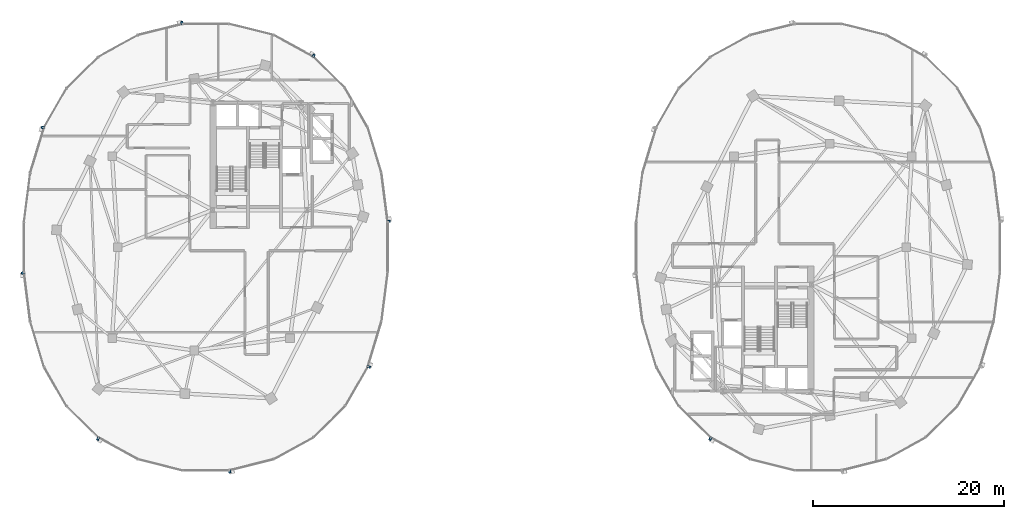
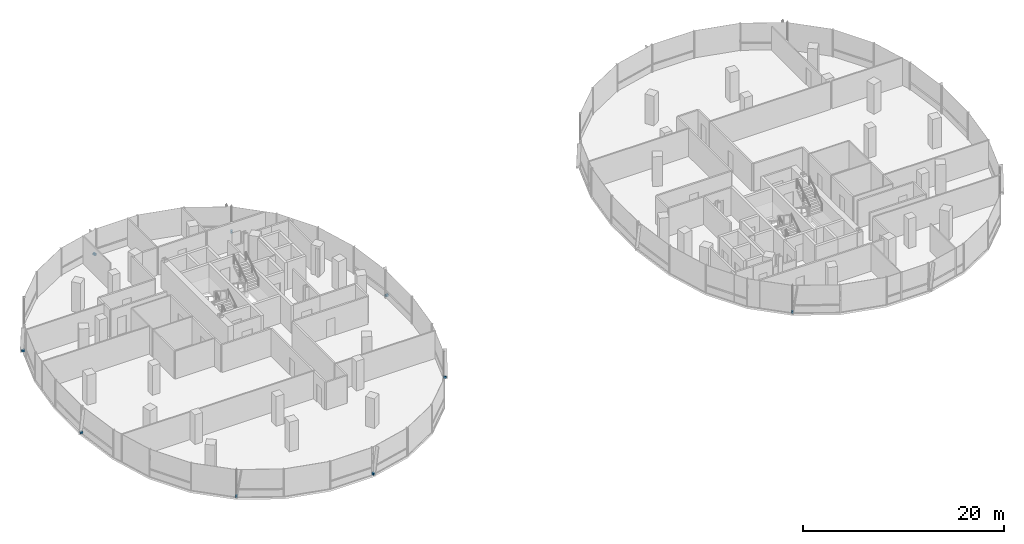
# One storey, part 16 of 22: 9 discrete accessories.
"""IFC4 building model written with IfcOpenShell, lengths in metres."""

from ifc_helpers import new_model, si_unit, direction, frame, origin, origin_2d, place, context, subcontext, project, spatial, rectangle, extrude, material, type_object, element, save


model = new_model("IFC4")

# Units and contexts
model_context = context("Model", 3, precision=1e-05, world=origin(), true_north=direction((0.0, 1.0)))
body_context = subcontext(model_context, "Body", "Model", "MODEL_VIEW")
ifc_project = project(units=[si_unit("LENGTHUNIT", "METRE"), si_unit("AREAUNIT", "SQUARE_METRE"), si_unit("VOLUMEUNIT", "CUBIC_METRE"), si_unit("PLANEANGLEUNIT", "RADIAN"), si_unit("MASSUNIT", "GRAM", prefix="KILO"), si_unit("THERMODYNAMICTEMPERATUREUNIT", "KELVIN"), si_unit("POWERUNIT", "WATT")], contexts=[model_context])

# Site, building, storey
site_placement = place(None, origin())
site = spatial("IfcSite", under=ifc_project, at=site_placement, CompositionType="ELEMENT")
building_placement = place(site_placement, origin())
building = spatial("IfcBuilding", under=site, at=building_placement, Name="Cundina Bronze Exchange", CompositionType="ELEMENT")
storey_placement = place(building_placement, frame((0.0, 0.0, 158.39990234375)))
storey = spatial("IfcBuildingStorey", under=building, at=storey_placement, Name="L41", CompositionType="ELEMENT", Elevation=158.39990234375)

# Discrete accessories
ifc_material = material(Name="Anodised Bronze Aluminium 6063-T6", Category="aluminium")
discrete_accessory_type = type_object("IfcDiscreteAccessoryType", Name="ACC-BRK-FIN", PredefinedType="BRACKET", material=ifc_material)
for number, where, z_axis, x_axis, name in (
    (1, (-12.874267578125, 2.69189453125, 0.10009765625), (0.0, 0.0, 1.0), (-0.126475984253, 0.9919696696, 0.0), "L41 Fin Support Bracket 1"),
    (2, (-20.733154296875, 20.015380859375, 0.10009765625), (0.0, 0.0, 1.0), (-0.875869093438, 0.482548786301, 0.0), "L41 Fin Support Bracket 5"),
    (3, (-34.492919921875, 23.44970703125, 0.10009765625), (0.0, 0.0, 1.0), (-0.970092713791, -0.242734683656, 0.0), "L41 Fin Support Bracket 1"),
    (4, (-49.0458984375, 12.511962890625, 0.10009765625), (0.0, 0.0, 1.0), (-0.290050843957, -0.957011237092, 0.0), "L41 Fin Support Bracket 5"),
    (5, (-51.125732421875, -2.69189453125, 0.10009765625), (0.0, 0.0, 1.0), (0.126475984253, -0.9919696696, 0.0), "L41 Fin Support Bracket 1"),
    (6, (-43.266845703125, -20.015380859375, 0.10009765625), (0.0, 0.0, 1.0), (0.875869093438, -0.482548786301, 0.0), "L41 Fin Support Bracket 5"),
    (7, (-29.507080078125, -23.44970703125, 0.10009765625), (0.0, 0.0, 1.0), (0.970092713791, 0.242734683656, 0.0), "L41 Fin Support Bracket 1"),
    (8, (-14.9541015625, -12.511962890625, 0.10009765625), (0.0, 0.0, 1.0), (0.290050843957, 0.957011237092, 0.0), "L41 Fin Support Bracket 5"),
    (9, (20.733154296875, -20.015380859375, 0.10009765625), (0.0, 0.0, 1.0), (0.875869093438, -0.482548786301, 0.0), "L41 Fin Support Bracket 5"),
):
    element("IfcDiscreteAccessory", number, at=place(storey_placement, frame(where, z_axis=z_axis, x_axis=x_axis)), inside=storey, type_object=discrete_accessory_type, Name=name, PredefinedType="BRACKET", context=body_context, shape_type="SweptSolid", body=[
        extrude(rectangle(XDim=0.219970703125, YDim=0.320068359375, at=origin_2d()), origin(), (0.0, 0.0, 1.0), 0.239990234375),
    ])

save(model, "model.ifc")
